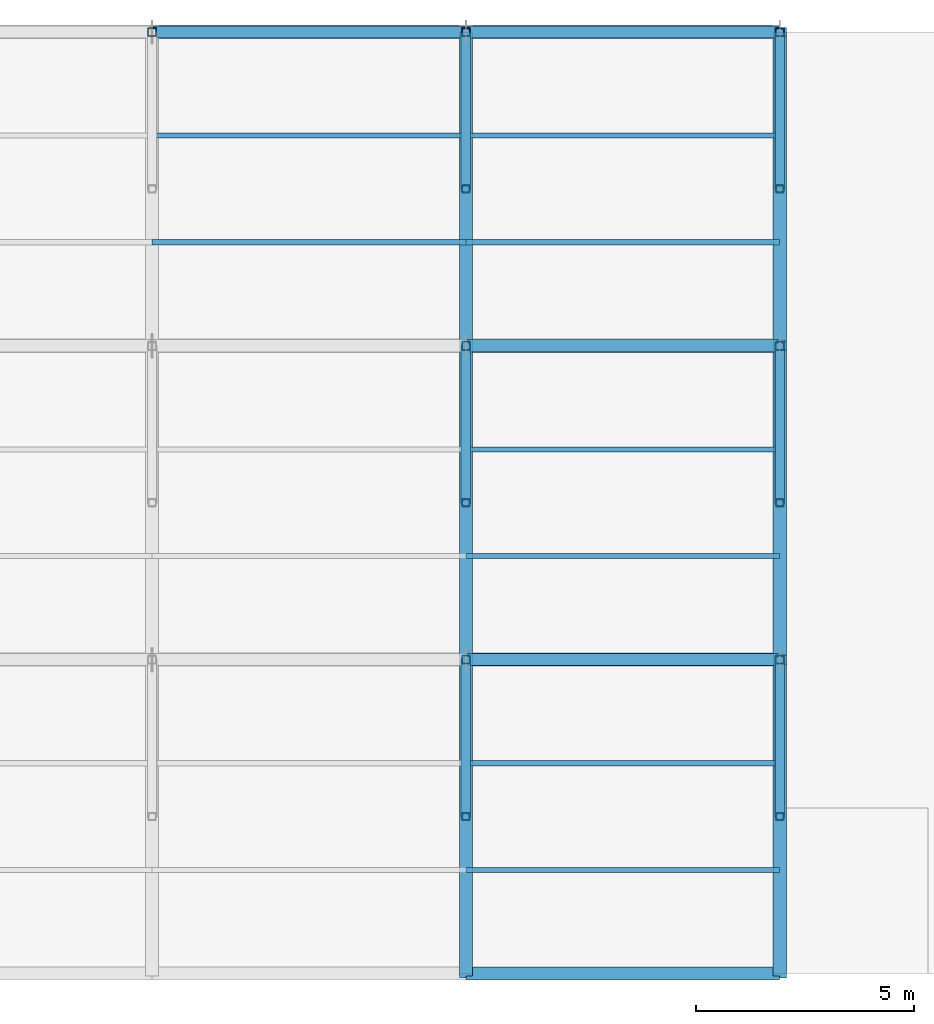
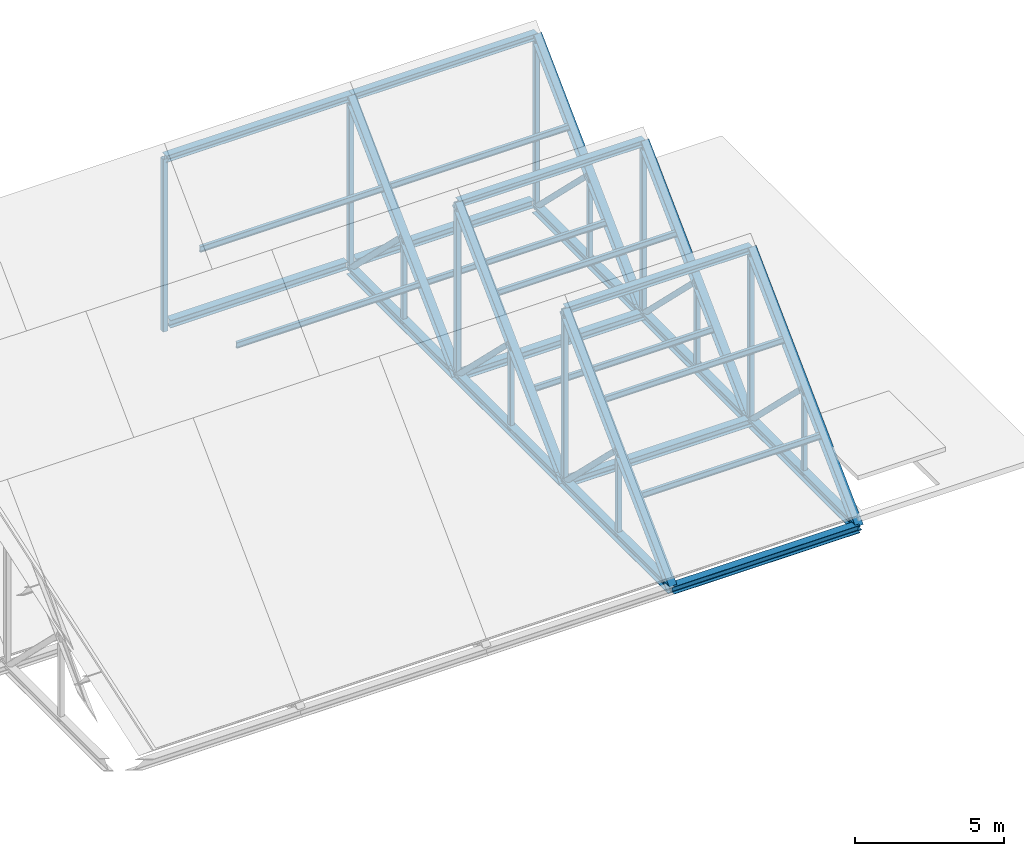
# One storey, part 4 of 7: 27 members, 17 beams.
"""IFC4 building model written with IfcOpenShell, lengths in metres."""

import ifcopenshell
import ifcopenshell.guid

model = None  # the IFC model being written
_history = None  # IfcOwnerHistory: only IFC2X3 demands one
_inside = {}  # id of a spatial element -> (the spatial element, [elements in it])
_under = {}  # id of a project, library or spatial element -> (it, [spatial elements below it])
_declared = {}  # id of a project -> (the project, [libraries it declares])
_typed = {}  # id of a type object -> (the type object, [elements of that type])
_made_of = {}  # id of a material, layer set ... -> (it, [elements and type objects made of it])


def new_model(schema):
    """Start an empty IFC model of exactly this schema.

    Asked for "IFC4X3", IfcOpenShell would pick the latest addendum, in which some entities
    have other attributes; the version numbers below select the first issue.
    IFC2X3 requires an IfcOwnerHistory on every rooted entity: one is made here for all.
    """
    global model, _history
    if schema == "IFC4X3":
        model = ifcopenshell.file(schema_version=(4, 3, 0, 0))
    else:
        model = ifcopenshell.file(schema=schema)
    _inside.clear()
    _under.clear()
    _declared.clear()
    _typed.clear()
    _made_of.clear()
    _history = None
    if model.schema == "IFC2X3":
        org = make("IfcOrganization", Name="unknown")
        user = make(
            "IfcPersonAndOrganization",
            ThePerson=make("IfcPerson", FamilyName="unknown"),
            TheOrganization=org,
        )
        app = make(
            "IfcApplication",
            ApplicationDeveloper=org,
            Version="unknown",
            ApplicationFullName="unknown",
            ApplicationIdentifier="unknown",
        )
        _history = make(
            "IfcOwnerHistory",
            OwningUser=user,
            OwningApplication=app,
            ChangeAction="ADDED",
            CreationDate=0,
        )
    return model


def make(cls, **values):
    """One entity of the class cls with the attributes given. An attribute that is None is left unset."""
    return model.create_entity(
        cls, **{name: value for name, value in values.items() if value is not None}
    )


def rooted(cls, **values):
    """An entity with a GlobalId (a new one), such as an element, a storey or a relation."""
    return make(cls, GlobalId=ifcopenshell.guid.new(), OwnerHistory=_history, **values)


def si_unit(unit_type, name, prefix=None):
    """IfcSIUnit, for example si_unit("LENGTHUNIT", "METRE", prefix="MILLI")."""
    return make("IfcSIUnit", UnitType=unit_type, Prefix=prefix, Name=name)


def assignment(units):
    """IfcUnitAssignment: the units of a project."""
    return None if units is None else make("IfcUnitAssignment", Units=units)


def point(xyz):
    """IfcCartesianPoint."""
    return None if xyz is None else make("IfcCartesianPoint", Coordinates=xyz)


def direction(xyz):
    """IfcDirection."""
    return None if xyz is None else make("IfcDirection", DirectionRatios=xyz)


def frame(location, z_axis=None, x_axis=None):
    """IfcAxis2Placement3D, a coordinate frame: its origin and axes. An axis left out is left unset."""
    return make(
        "IfcAxis2Placement3D",
        Location=point(location),
        Axis=direction(z_axis),
        RefDirection=direction(x_axis),
    )


def frame_2d(location, x_axis=None):
    """IfcAxis2Placement2D, a coordinate frame in the plane: its origin and x axis."""
    return make(
        "IfcAxis2Placement2D", Location=point(location), RefDirection=direction(x_axis)
    )


def origin():
    """The frame at (0, 0, 0) with its axes left unset."""
    return frame((0.0, 0.0, 0.0))


def origin_2d():
    """The frame at (0, 0) in the plane with its x axis left unset."""
    return frame_2d((0.0, 0.0))


def place(relative_to, where):
    """IfcLocalPlacement: puts the frame where relative to a parent placement (None: the world)."""
    return make(
        "IfcLocalPlacement", PlacementRelTo=relative_to, RelativePlacement=where
    )


def context(
    kind, dimensions, precision=None, world=None, true_north=None, identifier=None
):
    """IfcGeometricRepresentationContext, for example the 3D "Model" context."""
    return make(
        "IfcGeometricRepresentationContext",
        ContextIdentifier=identifier,
        ContextType=kind,
        CoordinateSpaceDimension=dimensions,
        Precision=precision,
        WorldCoordinateSystem=world,
        TrueNorth=true_north,
    )


def subcontext(parent, identifier, kind, view, scale=None):
    """IfcGeometricRepresentationSubContext, for example "Body" below "Model"."""
    return make(
        "IfcGeometricRepresentationSubContext",
        ContextIdentifier=identifier,
        ContextType=kind,
        ParentContext=parent,
        TargetScale=scale,
        TargetView=view,
    )


def project(units=None, contexts=None):
    """IfcProject with its units and contexts."""
    return rooted(
        "IfcProject",
        Name="project",
        RepresentationContexts=contexts,
        UnitsInContext=assignment(units),
    )


def spatial(cls, under=None, at=None, **own):
    """A site, building, storey or space (cls), placed at a placement, below another one or the project."""
    s = rooted(cls, ObjectPlacement=at, **own)
    if under is not None:
        _under.setdefault(under.id(), (under, []))[1].append(s)
    return s


def profile(cls, at=None, kind="AREA", **sizes):
    """A parametric profile (cls). Its sizes go by their IFC names, for example OverallWidth=200.0."""
    return make(cls, ProfileType=kind, Position=at, **sizes)


def hollow_rectangle(**sizes):
    """IfcRectangleHollowProfileDef."""
    return profile("IfcRectangleHollowProfileDef", **sizes)


def hollow_circle(**sizes):
    """IfcCircleHollowProfileDef."""
    return profile("IfcCircleHollowProfileDef", **sizes)


def i_section(**sizes):
    """IfcIShapeProfileDef."""
    return profile("IfcIShapeProfileDef", **sizes)


def extrude(swept, where, along, depth):
    """IfcExtrudedAreaSolid: the profile swept, set in the frame where, extruded along a direction by depth."""
    return make(
        "IfcExtrudedAreaSolid",
        SweptArea=swept,
        Position=where,
        ExtrudedDirection=direction(along),
        Depth=depth,
    )


def shape(context_of_items, identifier, shape_type, items):
    """IfcShapeRepresentation: the items that make up one representation, for example the "Body"."""
    return make(
        "IfcShapeRepresentation",
        ContextOfItems=context_of_items,
        RepresentationIdentifier=identifier,
        RepresentationType=shape_type,
        Items=items,
    )


def material(Name=None, Category=None):
    """IfcMaterial."""
    return make("IfcMaterial", Name=Name, Category=Category)


def material_profile(
    of_material, cross_section, Name=None, Category=None, Priority=None
):
    """IfcMaterialProfile: a cross section and its material."""
    return make(
        "IfcMaterialProfile",
        Name=Name,
        Material=of_material,
        Profile=cross_section,
        Priority=Priority,
        Category=Category,
    )


def profile_set(profiles, Name=None, composite=None):
    """IfcMaterialProfileSet."""
    return make(
        "IfcMaterialProfileSet",
        Name=Name,
        MaterialProfiles=profiles,
        CompositeProfile=composite,
    )


def made_of(thing, what):
    """Note that an element or type object is made of a material, layer set ...; save() writes the relation."""
    if what is not None:
        _made_of.setdefault(what.id(), (what, []))[1].append(thing)
    return thing


def type_object(cls, material=None, **own):
    """A type object (cls), such as IfcWallType, which elements share."""
    return made_of(rooted(cls, **own), material)


def element(
    cls,
    number,
    at=None,
    inside=None,
    cuts=None,
    type_object=None,
    material=None,
    context=None,
    identifier="Body",
    shape_type=None,
    held_by="IfcProductDefinitionShape",
    body=None,
    shapes=None,
    **own,
):
    """One element of the class cls, such as IfcWall. Its Tag is "e" and its number.

    at: its placement. inside: the storey or other place that contains it. cuts: it is an
    opening in that element (IfcRelVoidsElement). A single representation is given by context,
    identifier, shape_type and body (its items); several are given by shapes. held_by: the class
    of the entity that holds the representations. save() writes the other relations.
    """
    e = rooted(cls, Tag="e%d" % number, ObjectPlacement=at, **own)
    if body is not None:
        shapes = [shape(context, identifier, shape_type, body)]
    if shapes is not None:
        e.Representation = make(held_by, Representations=shapes)
    if inside is not None:
        _inside.setdefault(inside.id(), (inside, []))[1].append(e)
    if cuts is not None:
        rooted(
            "IfcRelVoidsElement", RelatingBuildingElement=cuts, RelatedOpeningElement=e
        )
    if type_object is not None:
        _typed.setdefault(type_object.id(), (type_object, []))[1].append(e)
    return made_of(e, material)


def aggregate(whole, parts):
    """IfcRelAggregates: a whole, such as a stair, and the parts it consists of."""
    return rooted("IfcRelAggregates", RelatingObject=whole, RelatedObjects=parts)


def save(model, path):
    """Write the relations noted so far, then the file.

    IfcRelAggregates (storeys below a building ...), IfcRelContainedInSpatialStructure (elements
    in a storey), IfcRelDefinesByType, IfcRelAssociatesMaterial and IfcRelDeclares: one each for
    every whole, place, type object, material and project.
    """
    for whole, parts in _under.values():
        aggregate(whole, parts)
    for where, things in _inside.values():
        rooted(
            "IfcRelContainedInSpatialStructure",
            RelatedElements=things,
            RelatingStructure=where,
        )
    for kind, things in _typed.values():
        rooted("IfcRelDefinesByType", RelatedObjects=things, RelatingType=kind)
    for what, things in _made_of.values():
        rooted("IfcRelAssociatesMaterial", RelatedObjects=things, RelatingMaterial=what)
    for by, libraries in _declared.values():
        rooted("IfcRelDeclares", RelatingContext=by, RelatedDefinitions=libraries)
    model.write(path)


model = new_model("IFC4")

# Units and contexts
model_context = context("Model", 3, precision=1e-05, world=origin(), true_north=direction((0.0, 1.0)))
body_context = subcontext(model_context, "Body", "Model", "MODEL_VIEW")
ifc_project = project(units=[si_unit("LENGTHUNIT", "METRE"), si_unit("AREAUNIT", "SQUARE_METRE"), si_unit("VOLUMEUNIT", "CUBIC_METRE"), si_unit("PLANEANGLEUNIT", "RADIAN"), si_unit("MASSUNIT", "GRAM", prefix="KILO")], contexts=[model_context])

# Site, building, storey
site_placement = place(None, origin())
site = spatial("IfcSite", under=ifc_project, at=site_placement, CompositionType="ELEMENT")
building_placement = place(site_placement, origin())
building = spatial("IfcBuilding", under=site, at=building_placement, Name="Zlatovets Crest Museum", CompositionType="ELEMENT")
storey_placement = place(building_placement, frame((0.0, 0.0, 30.60009765625)))
storey = spatial("IfcBuildingStorey", under=building, at=storey_placement, Name="Roof", CompositionType="ELEMENT", Elevation=30.60009765625)

# Beams
ifc_material = material(Name="Structural steel S355J2", Category="steel")
ifc_material_profile_1 = material_profile(ifc_material, i_section(OverallWidth=0.300048828125, OverallDepth=0.31005859375, WebThickness=0.009033203125, FlangeThickness=0.015380859375, FilletRadius=0.027099609375, at=origin_2d()), Name="HEA 320")
ifc_profile_set_1 = profile_set([ifc_material_profile_1], Name="Structural steel S355J2")
beam_type_1 = type_object("IfcBeamType", Name="Beam_B-04", PredefinedType="BEAM", material=ifc_profile_set_1)
for number, where, z_axis, x_axis, name in (
    (1, (93.60009765625, 93.60009765625, -0.400146484375), (1.0, 0.0, 0.0), (0.0, 1.0, 0.0), "V1 Sawtooth South Eave Valley Girder"),
    (2, (93.60009765625, 100.800048828125, -0.400146484375), (1.0, 0.0, 0.0), (0.0, 1.0, 0.0), "V1 Sawtooth Tooth 1 Valley / Clerestory Sill Girder"),
    (3, (93.60009765625, 108.0, -0.400146484375), (1.0, 0.0, 0.0), (0.0, 1.0, 0.0), "V1 Sawtooth Tooth 2 Valley / Clerestory Sill Girder"),
):
    element("IfcBeam", number, at=place(storey_placement, frame(where, z_axis=z_axis, x_axis=x_axis)), inside=storey, type_object=beam_type_1, Name=name, PredefinedType="BEAM", context=body_context, shape_type="SweptSolid", body=[
        extrude(i_section(OverallWidth=0.300048828125, OverallDepth=0.31005859375, WebThickness=0.009033203125, FlangeThickness=0.015380859375, FilletRadius=0.027099609375, at=origin_2d()), origin(), (0.0, 0.0, 1.0), 7.199951171875),
    ])
for number, where, z_axis, x_axis, name in (
    (4, (86.56005859375, 115.199951171875, -0.135009765625), (1.0, 0.0, 0.0), (0.0, 1.0, 0.0), "V1 Sawtooth Tooth 3 Valley / Clerestory Sill Girder"),
    (5, (93.760009765625, 115.199951171875, -0.135009765625), (1.0, 0.0, 0.0), (0.0, 1.0, 0.0), "V1 Sawtooth Tooth 3 Valley / Clerestory Sill Girder"),
):
    element("IfcBeam", number, at=place(storey_placement, frame(where, z_axis=z_axis, x_axis=x_axis)), inside=storey, type_object=beam_type_1, Name=name, PredefinedType="BEAM", context=body_context, shape_type="SweptSolid", body=[
        extrude(i_section(OverallWidth=0.300048828125, OverallDepth=0.31005859375, WebThickness=0.009033203125, FlangeThickness=0.015380859375, FilletRadius=0.027099609375, at=origin_2d()), origin(), (0.0, 0.0, 1.0), 6.8798828125),
    ])
ifc_material_profile_2 = material_profile(ifc_material, i_section(OverallWidth=0.280029296875, OverallDepth=0.27001953125, WebThickness=0.008056640625, FlangeThickness=0.012939453125, FilletRadius=0.02392578125, at=origin_2d()), Name="HEA 280")
ifc_profile_set_2 = profile_set([ifc_material_profile_2], Name="Structural steel S355J2")
beam_type_2 = type_object("IfcBeamType", Name="Beam_B-05", PredefinedType="BEAM", material=ifc_profile_set_2)
for number, where, z_axis, x_axis, name in (
    (6, (93.60009765625, 100.800048828125, 6.668701171875), (1.0, 0.0, 0.0), (0.0, 1.0, 0.0), "V1 Sawtooth Tooth 1 Ridge Girder"),
    (7, (93.60009765625, 108.0, 6.668701171875), (1.0, 0.0, 0.0), (0.0, 1.0, 0.0), "V1 Sawtooth Tooth 2 Ridge Girder"),
):
    element("IfcBeam", number, at=place(storey_placement, frame(where, z_axis=z_axis, x_axis=x_axis)), inside=storey, type_object=beam_type_2, Name=name, PredefinedType="BEAM", context=body_context, shape_type="SweptSolid", body=[
        extrude(i_section(OverallWidth=0.280029296875, OverallDepth=0.27001953125, WebThickness=0.008056640625, FlangeThickness=0.012939453125, FilletRadius=0.02392578125, at=origin_2d()), origin(), (0.0, 0.0, 1.0), 7.199951171875),
    ])
beam_1_placement = place(storey_placement, frame((86.39990234375, 115.199951171875, 6.668701171875), z_axis=(1.0, 0.0, 0.0), x_axis=(0.0, 1.0, 0.0)))
element("IfcBeam", 8, at=beam_1_placement, inside=storey, type_object=beam_type_2, Name="V1 Sawtooth Tooth 3 Ridge Girder", PredefinedType="BEAM", context=body_context, shape_type="SweptSolid", body=[
    extrude(i_section(OverallWidth=0.280029296875, OverallDepth=0.27001953125, WebThickness=0.008056640625, FlangeThickness=0.012939453125, FilletRadius=0.02392578125, at=origin_2d()), origin(), (0.0, 0.0, 1.0), 7.2001953125),
])
beam_2_placement = place(storey_placement, frame((93.60009765625, 115.199951171875, 6.668701171875), z_axis=(1.0, 0.0, 0.0), x_axis=(0.0, 1.0, 0.0)))
element("IfcBeam", 9, at=beam_2_placement, inside=storey, type_object=beam_type_2, Name="V1 Sawtooth Tooth 3 Ridge Girder", PredefinedType="BEAM", context=body_context, shape_type="SweptSolid", body=[
    extrude(i_section(OverallWidth=0.280029296875, OverallDepth=0.27001953125, WebThickness=0.008056640625, FlangeThickness=0.012939453125, FilletRadius=0.02392578125, at=origin_2d()), origin(), (0.0, 0.0, 1.0), 7.199951171875),
])
ifc_material_profile_3 = material_profile(ifc_material, i_section(OverallWidth=0.1201171875, OverallDepth=0.239990234375, WebThickness=0.006103515625, FlangeThickness=0.009765625, FilletRadius=0.014892578125, at=origin_2d()), Name="IPE 240")
ifc_profile_set_3 = profile_set([ifc_material_profile_3], Name="Structural steel S355J2")
beam_type_3 = type_object("IfcBeamType", Name="Beam_PR-01", PredefinedType="BEAM", material=ifc_profile_set_3)
for number, where, z_axis, x_axis, name in (
    (10, (93.60009765625, 95.97607421875, 1.919921875), (1.0, 0.0, 0.0), (0.0, 1.0, 0.0), "V1 Sawtooth Tooth 1 Purlin PR-01"),
    (11, (93.60009765625, 98.424072265625, 4.367919921875), (1.0, 0.0, 0.0), (0.0, 1.0, 0.0), "V1 Sawtooth Tooth 1 Purlin PR-01"),
    (12, (93.60009765625, 103.176025390625, 1.919921875), (1.0, 0.0, 0.0), (0.0, 1.0, 0.0), "V1 Sawtooth Tooth 2 Purlin PR-01"),
    (13, (93.60009765625, 105.6240234375, 4.367919921875), (1.0, 0.0, 0.0), (0.0, 1.0, 0.0), "V1 Sawtooth Tooth 2 Purlin PR-01"),
):
    element("IfcBeam", number, at=place(storey_placement, frame(where, z_axis=z_axis, x_axis=x_axis)), inside=storey, type_object=beam_type_3, Name=name, PredefinedType="BEAM", context=body_context, shape_type="SweptSolid", body=[
        extrude(i_section(OverallWidth=0.1201171875, OverallDepth=0.239990234375, WebThickness=0.006103515625, FlangeThickness=0.009765625, FilletRadius=0.014892578125, at=origin_2d()), origin(), (0.0, 0.0, 1.0), 7.199951171875),
    ])
for number, where, z_axis, x_axis, name in (
    (14, (86.39990234375, 110.3759765625, 1.919921875), (1.0, 0.0, 0.0), (0.0, 1.0, 0.0), "V1 Sawtooth Tooth 3 Purlin PR-01"),
    (15, (86.39990234375, 112.823974609375, 4.367919921875), (1.0, 0.0, 0.0), (0.0, 1.0, 0.0), "V1 Sawtooth Tooth 3 Purlin PR-01"),
):
    element("IfcBeam", number, at=place(storey_placement, frame(where, z_axis=z_axis, x_axis=x_axis)), inside=storey, type_object=beam_type_3, Name=name, PredefinedType="BEAM", context=body_context, shape_type="SweptSolid", body=[
        extrude(i_section(OverallWidth=0.1201171875, OverallDepth=0.239990234375, WebThickness=0.006103515625, FlangeThickness=0.009765625, FilletRadius=0.014892578125, at=origin_2d()), origin(), (0.0, 0.0, 1.0), 7.2001953125),
    ])
for number, where, z_axis, x_axis, name in (
    (16, (93.60009765625, 110.3759765625, 1.919921875), (1.0, 0.0, 0.0), (0.0, 1.0, 0.0), "V1 Sawtooth Tooth 3 Purlin PR-01"),
    (17, (93.60009765625, 112.823974609375, 4.367919921875), (1.0, 0.0, 0.0), (0.0, 1.0, 0.0), "V1 Sawtooth Tooth 3 Purlin PR-01"),
):
    element("IfcBeam", number, at=place(storey_placement, frame(where, z_axis=z_axis, x_axis=x_axis)), inside=storey, type_object=beam_type_3, Name=name, PredefinedType="BEAM", context=body_context, shape_type="SweptSolid", body=[
        extrude(i_section(OverallWidth=0.1201171875, OverallDepth=0.239990234375, WebThickness=0.006103515625, FlangeThickness=0.009765625, FilletRadius=0.014892578125, at=origin_2d()), origin(), (0.0, 0.0, 1.0), 7.199951171875),
    ])

# Members
ifc_material_profile_4 = material_profile(ifc_material, i_section(OverallWidth=0.300048828125, OverallDepth=0.360107421875, WebThickness=0.012451171875, FlangeThickness=0.0224609375, FilletRadius=0.027099609375, at=origin_2d()), Name="HEB 360")
ifc_profile_set_4 = profile_set([ifc_material_profile_4], Name="Structural steel S355J2")
member_type_1 = type_object("IfcMemberType", Name="Member_TM-01", PredefinedType="CHORD", material=ifc_profile_set_4)
for number, where, z_axis, x_axis, name in (
    (18, (93.60009765625, 93.60009765625, -0.400146484375), (0.0, 1.0, 0.0), (-1.0, 0.0, 0.0), "V1 Multi-Tooth Sawtooth Truss Bottom Tie Chord"),
    (19, (100.800048828125, 93.60009765625, -0.400146484375), (0.0, 1.0, 0.0), (-1.0, 0.0, 0.0), "V1 Multi-Tooth Sawtooth Truss Bottom Tie Chord"),
):
    element("IfcMember", number, at=place(storey_placement, frame(where, z_axis=z_axis, x_axis=x_axis)), inside=storey, type_object=member_type_1, Name=name, PredefinedType="CHORD", context=body_context, shape_type="SweptSolid", body=[
        extrude(i_section(OverallWidth=0.300048828125, OverallDepth=0.360107421875, WebThickness=0.012451171875, FlangeThickness=0.0224609375, FilletRadius=0.027099609375, at=origin_2d()), origin(), (0.0, 0.0, 1.0), 21.599853515625),
    ])
ifc_material_profile_5 = material_profile(ifc_material, i_section(OverallWidth=0.300048828125, OverallDepth=0.31005859375, WebThickness=0.009033203125, FlangeThickness=0.015380859375, FilletRadius=0.027099609375, at=origin_2d()), Name="HEA 320")
ifc_profile_set_5 = profile_set([ifc_material_profile_5], Name="Structural steel S355J2")
member_type_2 = type_object("IfcMemberType", Name="Member_TM-02", PredefinedType="RAFTER", material=ifc_profile_set_5)
for number, where, z_axis, x_axis, name in (
    (20, (93.60009765625, 93.60009765625, -0.400146484375), (0.0, 0.713573647199, 0.700580223831), (-1.0, 0.0, 0.0), "V1 Sawtooth Tooth 1 Rafter Chord"),
    (21, (93.60009765625, 100.800048828125, -0.400146484375), (0.0, 0.713573647199, 0.700580223831), (-1.0, 0.0, 0.0), "V1 Sawtooth Tooth 2 Rafter Chord"),
    (22, (93.60009765625, 108.0, -0.400146484375), (0.0, 0.713573647199, 0.700580223831), (-1.0, 0.0, 0.0), "V1 Sawtooth Tooth 3 Rafter Chord"),
    (23, (100.800048828125, 93.60009765625, -0.400146484375), (0.0, 0.713573647199, 0.700580223831), (-1.0, 0.0, 0.0), "V1 Sawtooth Tooth 1 Rafter Chord"),
    (24, (100.800048828125, 100.800048828125, -0.400146484375), (0.0, 0.713573647199, 0.700580223831), (-1.0, 0.0, 0.0), "V1 Sawtooth Tooth 2 Rafter Chord"),
    (25, (100.800048828125, 108.0, -0.400146484375), (0.0, 0.713573647199, 0.700580223831), (-1.0, 0.0, 0.0), "V1 Sawtooth Tooth 3 Rafter Chord"),
):
    element("IfcMember", number, at=place(storey_placement, frame(where, z_axis=z_axis, x_axis=x_axis)), inside=storey, type_object=member_type_2, Name=name, PredefinedType="RAFTER", context=body_context, shape_type="SweptSolid", body=[
        extrude(i_section(OverallWidth=0.300048828125, OverallDepth=0.31005859375, WebThickness=0.009033203125, FlangeThickness=0.015380859375, FilletRadius=0.027099609375, at=origin_2d()), origin(), (0.0, 0.0, 1.0), 10.090087890625),
    ])
ifc_material_profile_6 = material_profile(ifc_material, hollow_rectangle(XDim=0.199951171875, YDim=0.199951171875, WallThickness=0.012451171875, InnerFilletRadius=0.012451171875, OuterFilletRadius=0.02490234375, at=origin_2d()), Name="SHS 200x200x12.5")
ifc_profile_set_6 = profile_set([ifc_material_profile_6], Name="Structural steel S355J2")
member_type_3 = type_object("IfcMemberType", Name="Member_TM-03", PredefinedType="BRACE", material=ifc_profile_set_6)
for number, where, z_axis, x_axis, name in (
    (26, (86.39990234375, 115.199951171875, -0.400146484375), (0.0, 0.0, 1.0), (1.0, 0.0, 0.0), "V1 Sawtooth Tooth 3 North-Light Post"),
    (27, (93.60009765625, 100.800048828125, -0.400146484375), (0.0, 0.0, 1.0), (1.0, 0.0, 0.0), "V1 Sawtooth Tooth 1 North-Light Post"),
    (28, (93.60009765625, 108.0, -0.400146484375), (0.0, 0.0, 1.0), (1.0, 0.0, 0.0), "V1 Sawtooth Tooth 2 North-Light Post"),
    (29, (93.60009765625, 115.199951171875, -0.400146484375), (0.0, 0.0, 1.0), (1.0, 0.0, 0.0), "V1 Sawtooth Tooth 3 North-Light Post"),
    (30, (100.800048828125, 100.800048828125, -0.400146484375), (0.0, 0.0, 1.0), (1.0, 0.0, 0.0), "V1 Sawtooth Tooth 1 North-Light Post"),
    (31, (100.800048828125, 108.0, -0.400146484375), (0.0, 0.0, 1.0), (1.0, 0.0, 0.0), "V1 Sawtooth Tooth 2 North-Light Post"),
    (32, (100.800048828125, 115.199951171875, -0.400146484375), (0.0, 0.0, 1.0), (1.0, 0.0, 0.0), "V1 Sawtooth Tooth 3 North-Light Post"),
):
    element("IfcMember", number, at=place(storey_placement, frame(where, z_axis=z_axis, x_axis=x_axis)), inside=storey, type_object=member_type_3, Name=name, PredefinedType="BRACE", context=body_context, shape_type="SweptSolid", body=[
        extrude(hollow_rectangle(XDim=0.199951171875, YDim=0.199951171875, WallThickness=0.012451171875, InnerFilletRadius=0.012451171875, OuterFilletRadius=0.02490234375, at=origin_2d()), origin(), (0.0, 0.0, 1.0), 7.06884765625),
    ])
ifc_material_profile_7 = material_profile(ifc_material, hollow_rectangle(XDim=0.179931640625, YDim=0.179931640625, WallThickness=0.010009765625, InnerFilletRadius=0.010009765625, OuterFilletRadius=0.02001953125, at=origin_2d()), Name="SHS 180x180x10.0")
ifc_profile_set_7 = profile_set([ifc_material_profile_7], Name="Structural steel S355J2")
member_type_4 = type_object("IfcMemberType", Name="Member_TM-04", PredefinedType="STRUT", material=ifc_profile_set_7)
for number, where, z_axis, x_axis, name in (
    (33, (93.60009765625, 97.199951171875, -0.400146484375), (0.0, 0.0, 1.0), (1.0, 0.0, 0.0), "V1 Sawtooth Tooth 1 Web Post"),
    (34, (93.60009765625, 104.39990234375, -0.400146484375), (0.0, 0.0, 1.0), (1.0, 0.0, 0.0), "V1 Sawtooth Tooth 2 Web Post"),
    (35, (93.60009765625, 111.60009765625, -0.400146484375), (0.0, 0.0, 1.0), (1.0, 0.0, 0.0), "V1 Sawtooth Tooth 3 Web Post"),
    (36, (100.800048828125, 97.199951171875, -0.400146484375), (0.0, 0.0, 1.0), (1.0, 0.0, 0.0), "V1 Sawtooth Tooth 1 Web Post"),
    (37, (100.800048828125, 104.39990234375, -0.400146484375), (0.0, 0.0, 1.0), (1.0, 0.0, 0.0), "V1 Sawtooth Tooth 2 Web Post"),
    (38, (100.800048828125, 111.60009765625, -0.400146484375), (0.0, 0.0, 1.0), (1.0, 0.0, 0.0), "V1 Sawtooth Tooth 3 Web Post"),
):
    element("IfcMember", number, at=place(storey_placement, frame(where, z_axis=z_axis, x_axis=x_axis)), inside=storey, type_object=member_type_4, Name=name, PredefinedType="STRUT", context=body_context, shape_type="SweptSolid", body=[
        extrude(hollow_rectangle(XDim=0.179931640625, YDim=0.179931640625, WallThickness=0.010009765625, InnerFilletRadius=0.010009765625, OuterFilletRadius=0.02001953125, at=origin_2d()), origin(), (0.0, 0.0, 1.0), 3.53466796875),
    ])
ifc_material_profile_8 = material_profile(ifc_material, hollow_circle(Radius=0.109619140625, WallThickness=0.010009765625, at=origin_2d()), Name="CHS 219.1x10.0")
ifc_profile_set_8 = profile_set([ifc_material_profile_8], Name="Structural steel S355J2")
member_type_5 = type_object("IfcMemberType", Name="Member_TM-05", PredefinedType="BRACE", material=ifc_profile_set_8)
for number, where, z_axis, x_axis, name in (
    (39, (93.60009765625, 97.199951171875, 3.134521484375), (0.0, 0.713561331344, -0.700592767883), (-1.0, 0.0, 0.0), "V1 Sawtooth Tooth 1 Web Diagonal"),
    (40, (93.60009765625, 104.39990234375, 3.134521484375), (0.0, 0.713561331344, -0.700592767883), (-1.0, 0.0, 0.0), "V1 Sawtooth Tooth 2 Web Diagonal"),
    (41, (93.60009765625, 111.60009765625, 3.134521484375), (0.0, 0.71353757876, -0.700616959328), (-1.0, 0.0, 0.0), "V1 Sawtooth Tooth 3 Web Diagonal"),
    (42, (100.800048828125, 97.199951171875, 3.134521484375), (0.0, 0.713561331344, -0.700592767883), (-1.0, 0.0, 0.0), "V1 Sawtooth Tooth 1 Web Diagonal"),
    (43, (100.800048828125, 104.39990234375, 3.134521484375), (0.0, 0.713561331344, -0.700592767883), (-1.0, 0.0, 0.0), "V1 Sawtooth Tooth 2 Web Diagonal"),
    (44, (100.800048828125, 111.60009765625, 3.134521484375), (0.0, 0.71353757876, -0.700616959328), (-1.0, 0.0, 0.0), "V1 Sawtooth Tooth 3 Web Diagonal"),
):
    element("IfcMember", number, at=place(storey_placement, frame(where, z_axis=z_axis, x_axis=x_axis)), inside=storey, type_object=member_type_5, Name=name, PredefinedType="BRACE", context=body_context, shape_type="SweptSolid", body=[
        extrude(hollow_circle(Radius=0.109619140625, WallThickness=0.010009765625, at=origin_2d()), origin(), (0.0, 0.0, 1.0), 5.045166015625),
    ])

save(model, "model.ifc")
